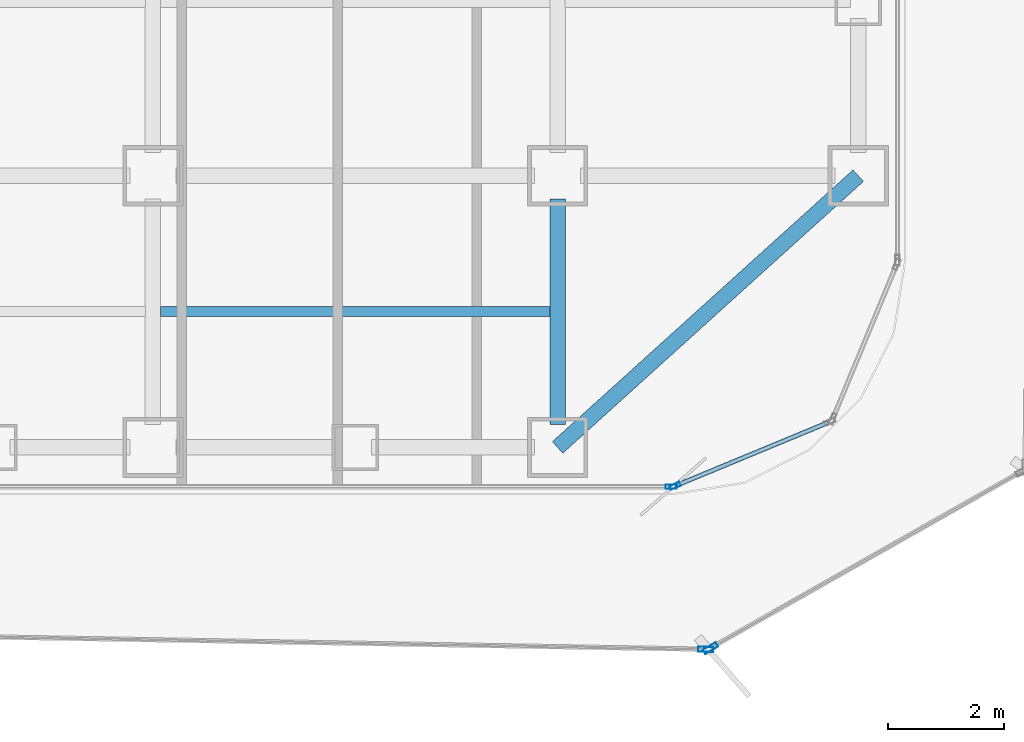
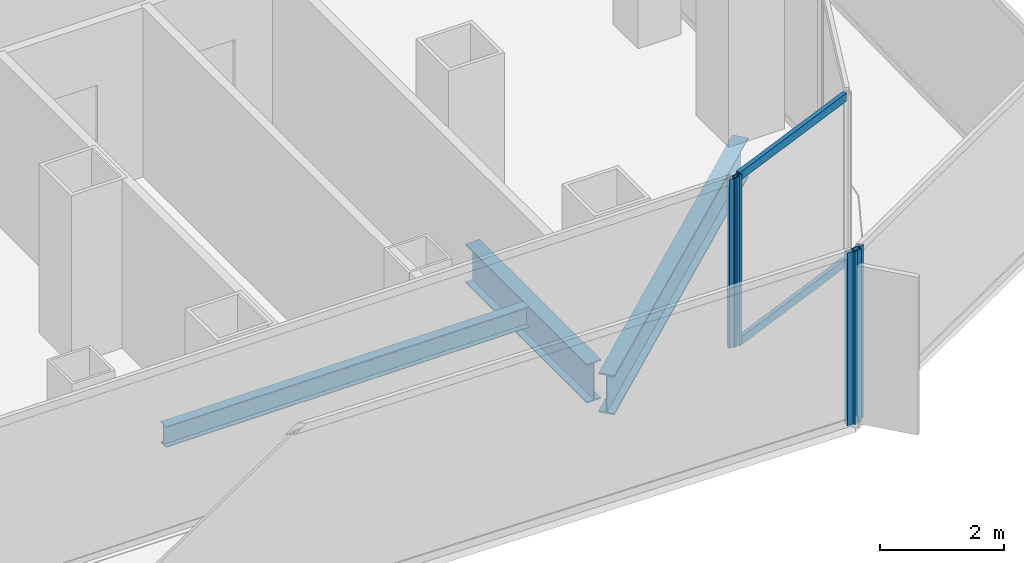
# One storey, part 6 of 21: 6 members, 3 beams, 4 elements without a shape of their own.
"""IFC4 building model written with IfcOpenShell, lengths in metres."""

import ifcopenshell
import ifcopenshell.guid

model = None  # the IFC model being written
_history = None  # IfcOwnerHistory: only IFC2X3 demands one
_inside = {}  # id of a spatial element -> (the spatial element, [elements in it])
_under = {}  # id of a project, library or spatial element -> (it, [spatial elements below it])
_declared = {}  # id of a project -> (the project, [libraries it declares])
_typed = {}  # id of a type object -> (the type object, [elements of that type])
_made_of = {}  # id of a material, layer set ... -> (it, [elements and type objects made of it])


def new_model(schema):
    """Start an empty IFC model of exactly this schema.

    Asked for "IFC4X3", IfcOpenShell would pick the latest addendum, in which some entities
    have other attributes; the version numbers below select the first issue.
    IFC2X3 requires an IfcOwnerHistory on every rooted entity: one is made here for all.
    """
    global model, _history
    if schema == "IFC4X3":
        model = ifcopenshell.file(schema_version=(4, 3, 0, 0))
    else:
        model = ifcopenshell.file(schema=schema)
    _inside.clear()
    _under.clear()
    _declared.clear()
    _typed.clear()
    _made_of.clear()
    _history = None
    if model.schema == "IFC2X3":
        org = make("IfcOrganization", Name="unknown")
        user = make(
            "IfcPersonAndOrganization",
            ThePerson=make("IfcPerson", FamilyName="unknown"),
            TheOrganization=org,
        )
        app = make(
            "IfcApplication",
            ApplicationDeveloper=org,
            Version="unknown",
            ApplicationFullName="unknown",
            ApplicationIdentifier="unknown",
        )
        _history = make(
            "IfcOwnerHistory",
            OwningUser=user,
            OwningApplication=app,
            ChangeAction="ADDED",
            CreationDate=0,
        )
    return model


def make(cls, **values):
    """One entity of the class cls with the attributes given. An attribute that is None is left unset."""
    return model.create_entity(
        cls, **{name: value for name, value in values.items() if value is not None}
    )


def rooted(cls, **values):
    """An entity with a GlobalId (a new one), such as an element, a storey or a relation."""
    return make(cls, GlobalId=ifcopenshell.guid.new(), OwnerHistory=_history, **values)


def si_unit(unit_type, name, prefix=None):
    """IfcSIUnit, for example si_unit("LENGTHUNIT", "METRE", prefix="MILLI")."""
    return make("IfcSIUnit", UnitType=unit_type, Prefix=prefix, Name=name)


def assignment(units):
    """IfcUnitAssignment: the units of a project."""
    return None if units is None else make("IfcUnitAssignment", Units=units)


def point(xyz):
    """IfcCartesianPoint."""
    return None if xyz is None else make("IfcCartesianPoint", Coordinates=xyz)


def direction(xyz):
    """IfcDirection."""
    return None if xyz is None else make("IfcDirection", DirectionRatios=xyz)


def frame(location, z_axis=None, x_axis=None):
    """IfcAxis2Placement3D, a coordinate frame: its origin and axes. An axis left out is left unset."""
    return make(
        "IfcAxis2Placement3D",
        Location=point(location),
        Axis=direction(z_axis),
        RefDirection=direction(x_axis),
    )


def frame_2d(location, x_axis=None):
    """IfcAxis2Placement2D, a coordinate frame in the plane: its origin and x axis."""
    return make(
        "IfcAxis2Placement2D", Location=point(location), RefDirection=direction(x_axis)
    )


def origin():
    """The frame at (0, 0, 0) with its axes left unset."""
    return frame((0.0, 0.0, 0.0))


def origin_2d():
    """The frame at (0, 0) in the plane with its x axis left unset."""
    return frame_2d((0.0, 0.0))


def place(relative_to, where):
    """IfcLocalPlacement: puts the frame where relative to a parent placement (None: the world)."""
    return make(
        "IfcLocalPlacement", PlacementRelTo=relative_to, RelativePlacement=where
    )


def context(
    kind, dimensions, precision=None, world=None, true_north=None, identifier=None
):
    """IfcGeometricRepresentationContext, for example the 3D "Model" context."""
    return make(
        "IfcGeometricRepresentationContext",
        ContextIdentifier=identifier,
        ContextType=kind,
        CoordinateSpaceDimension=dimensions,
        Precision=precision,
        WorldCoordinateSystem=world,
        TrueNorth=true_north,
    )


def subcontext(parent, identifier, kind, view, scale=None):
    """IfcGeometricRepresentationSubContext, for example "Body" below "Model"."""
    return make(
        "IfcGeometricRepresentationSubContext",
        ContextIdentifier=identifier,
        ContextType=kind,
        ParentContext=parent,
        TargetScale=scale,
        TargetView=view,
    )


def project(units=None, contexts=None):
    """IfcProject with its units and contexts."""
    return rooted(
        "IfcProject",
        Name="project",
        RepresentationContexts=contexts,
        UnitsInContext=assignment(units),
    )


def spatial(cls, under=None, at=None, **own):
    """A site, building, storey or space (cls), placed at a placement, below another one or the project."""
    s = rooted(cls, ObjectPlacement=at, **own)
    if under is not None:
        _under.setdefault(under.id(), (under, []))[1].append(s)
    return s


def profile(cls, at=None, kind="AREA", **sizes):
    """A parametric profile (cls). Its sizes go by their IFC names, for example OverallWidth=200.0."""
    return make(cls, ProfileType=kind, Position=at, **sizes)


def hollow_rectangle(**sizes):
    """IfcRectangleHollowProfileDef."""
    return profile("IfcRectangleHollowProfileDef", **sizes)


def i_section(**sizes):
    """IfcIShapeProfileDef."""
    return profile("IfcIShapeProfileDef", **sizes)


def extrude(swept, where, along, depth):
    """IfcExtrudedAreaSolid: the profile swept, set in the frame where, extruded along a direction by depth."""
    return make(
        "IfcExtrudedAreaSolid",
        SweptArea=swept,
        Position=where,
        ExtrudedDirection=direction(along),
        Depth=depth,
    )


def shape(context_of_items, identifier, shape_type, items):
    """IfcShapeRepresentation: the items that make up one representation, for example the "Body"."""
    return make(
        "IfcShapeRepresentation",
        ContextOfItems=context_of_items,
        RepresentationIdentifier=identifier,
        RepresentationType=shape_type,
        Items=items,
    )


def source(mapping_origin, context_of_items, identifier, shape_type, items):
    """IfcRepresentationMap: a shape defined once, which mapped items show again and again."""
    return make(
        "IfcRepresentationMap",
        MappingOrigin=mapping_origin,
        MappedRepresentation=shape(context_of_items, identifier, shape_type, items),
    )


def transform(
    local_origin,
    x_axis=None,
    y_axis=None,
    z_axis=None,
    scale=None,
    scale2=None,
    scale3=None,
    uniform=True,
):
    """IfcCartesianTransformationOperator3D, or its non-uniform kind. x_axis, y_axis, z_axis: its Axis1, 2, 3."""
    if uniform:
        return make(
            "IfcCartesianTransformationOperator3D",
            Axis1=direction(x_axis),
            Axis2=direction(y_axis),
            LocalOrigin=point(local_origin),
            Scale=scale,
            Axis3=direction(z_axis),
        )
    return make(
        "IfcCartesianTransformationOperator3DnonUniform",
        Axis1=direction(x_axis),
        Axis2=direction(y_axis),
        LocalOrigin=point(local_origin),
        Scale=scale,
        Axis3=direction(z_axis),
        Scale2=scale2,
        Scale3=scale3,
    )


def mapped(mapping_source, mapping_target):
    """IfcMappedItem: shows the shape of a source again, moved by a transform."""
    return make(
        "IfcMappedItem", MappingSource=mapping_source, MappingTarget=mapping_target
    )


def material(Name=None, Category=None):
    """IfcMaterial."""
    return make("IfcMaterial", Name=Name, Category=Category)


def layer(
    of_material, thickness, ventilated=None, Name=None, Category=None, Priority=None
):
    """IfcMaterialLayer: one layer of a wall or slab, of a material (None: an air gap)."""
    return make(
        "IfcMaterialLayer",
        Material=of_material,
        LayerThickness=thickness,
        IsVentilated=ventilated,
        Name=Name,
        Category=Category,
        Priority=Priority,
    )


def layer_set(layers, Name=None):
    """IfcMaterialLayerSet."""
    return make("IfcMaterialLayerSet", MaterialLayers=layers, LayerSetName=Name)


def material_profile(
    of_material, cross_section, Name=None, Category=None, Priority=None
):
    """IfcMaterialProfile: a cross section and its material."""
    return make(
        "IfcMaterialProfile",
        Name=Name,
        Material=of_material,
        Profile=cross_section,
        Priority=Priority,
        Category=Category,
    )


def profile_set(profiles, Name=None, composite=None):
    """IfcMaterialProfileSet."""
    return make(
        "IfcMaterialProfileSet",
        Name=Name,
        MaterialProfiles=profiles,
        CompositeProfile=composite,
    )


def made_of(thing, what):
    """Note that an element or type object is made of a material, layer set ...; save() writes the relation."""
    if what is not None:
        _made_of.setdefault(what.id(), (what, []))[1].append(thing)
    return thing


def type_object(cls, material=None, **own):
    """A type object (cls), such as IfcWallType, which elements share."""
    return made_of(rooted(cls, **own), material)


def element(
    cls,
    number,
    at=None,
    inside=None,
    cuts=None,
    type_object=None,
    material=None,
    context=None,
    identifier="Body",
    shape_type=None,
    held_by="IfcProductDefinitionShape",
    body=None,
    shapes=None,
    **own,
):
    """One element of the class cls, such as IfcWall. Its Tag is "e" and its number.

    at: its placement. inside: the storey or other place that contains it. cuts: it is an
    opening in that element (IfcRelVoidsElement). A single representation is given by context,
    identifier, shape_type and body (its items); several are given by shapes. held_by: the class
    of the entity that holds the representations. save() writes the other relations.
    """
    e = rooted(cls, Tag="e%d" % number, ObjectPlacement=at, **own)
    if body is not None:
        shapes = [shape(context, identifier, shape_type, body)]
    if shapes is not None:
        e.Representation = make(held_by, Representations=shapes)
    if inside is not None:
        _inside.setdefault(inside.id(), (inside, []))[1].append(e)
    if cuts is not None:
        rooted(
            "IfcRelVoidsElement", RelatingBuildingElement=cuts, RelatedOpeningElement=e
        )
    if type_object is not None:
        _typed.setdefault(type_object.id(), (type_object, []))[1].append(e)
    return made_of(e, material)


def aggregate(whole, parts):
    """IfcRelAggregates: a whole, such as a stair, and the parts it consists of."""
    return rooted("IfcRelAggregates", RelatingObject=whole, RelatedObjects=parts)


def save(model, path):
    """Write the relations noted so far, then the file.

    IfcRelAggregates (storeys below a building ...), IfcRelContainedInSpatialStructure (elements
    in a storey), IfcRelDefinesByType, IfcRelAssociatesMaterial and IfcRelDeclares: one each for
    every whole, place, type object, material and project.
    """
    for whole, parts in _under.values():
        aggregate(whole, parts)
    for where, things in _inside.values():
        rooted(
            "IfcRelContainedInSpatialStructure",
            RelatedElements=things,
            RelatingStructure=where,
        )
    for kind, things in _typed.values():
        rooted("IfcRelDefinesByType", RelatedObjects=things, RelatingType=kind)
    for what, things in _made_of.values():
        rooted("IfcRelAssociatesMaterial", RelatedObjects=things, RelatingMaterial=what)
    for by, libraries in _declared.values():
        rooted("IfcRelDeclares", RelatingContext=by, RelatedDefinitions=libraries)
    model.write(path)


model = new_model("IFC4")

# Units and contexts
model_context = context("Model", 3, precision=1e-05, world=origin(), true_north=direction((0.0, 1.0)))
body_context = subcontext(model_context, "Body", "Model", "MODEL_VIEW")
ifc_project = project(units=[si_unit("LENGTHUNIT", "METRE"), si_unit("AREAUNIT", "SQUARE_METRE"), si_unit("VOLUMEUNIT", "CUBIC_METRE"), si_unit("PLANEANGLEUNIT", "RADIAN"), si_unit("MASSUNIT", "GRAM", prefix="KILO")], contexts=[model_context])

# Site, building, storey
site_placement = place(None, origin())
site = spatial("IfcSite", under=ifc_project, at=site_placement, CompositionType="ELEMENT")
building_placement = place(site_placement, origin())
building = spatial("IfcBuilding", under=site, at=building_placement, Name="Kolveth Station Tower", CompositionType="ELEMENT")
storey_placement = place(building_placement, frame((0.0, 0.0, 40.5)))
storey = spatial("IfcBuildingStorey", under=building, at=storey_placement, Name="L10", CompositionType="ELEMENT", Elevation=40.5)

# Beams
ifc_material_1 = material(Name="Steel S355", Category="steel")
ifc_material_profile_1 = material_profile(ifc_material_1, i_section(OverallWidth=0.26904296875, OverallDepth=0.77490234375, WebThickness=0.01708984375, FlangeThickness=0.0283203125, at=origin_2d()), Name="W760x220")
ifc_profile_set_1 = profile_set([ifc_material_profile_1], Name="Steel S355")
beam_type_1 = type_object("IfcBeamType", Name="Beam_SP1", PredefinedType="SPANDREL", material=ifc_profile_set_1)
shared_shape_1 = source(origin(), body_context, "Body", "SweptSolid", [
    extrude(i_section(OverallWidth=0.26904296875, OverallDepth=0.77490234375, WebThickness=0.01708984375, FlangeThickness=0.0283203125, at=origin_2d()), origin(), (0.0, 0.0, 1.0), 7.00927734375),
])
beam_1_placement = place(storey_placement, frame((41.0, 0.800048828125, -0.66748046875), z_axis=(0.741874009795, 0.670539300557, 0.0), x_axis=(-0.670539300557, 0.741874009795, 0.0)))
element("IfcBeam", 1, at=beam_1_placement, inside=storey, type_object=beam_type_1, Name="L10 Corner Edge Girder BM-L10-CNR-SE", PredefinedType="SPANDREL", context=body_context, shape_type="MappedRepresentation", body=[
    mapped(shared_shape_1, transform((0.0, 0.0, 0.0), x_axis=(1.0, 0.0, 0.0), y_axis=(0.0, 1.0, 0.0), z_axis=(0.0, 0.0, 1.0), scale=1.0)),
])
ifc_material_profile_2 = material_profile(ifc_material_1, i_section(OverallWidth=0.26708984375, OverallDepth=0.76611328125, WebThickness=0.014892578125, FlangeThickness=0.023681640625, at=origin_2d()), Name="W760x185")
ifc_profile_set_2 = profile_set([ifc_material_profile_2], Name="Steel S355")
beam_type_2 = type_object("IfcBeamType", Name="Beam_B3", PredefinedType="BEAM", material=ifc_profile_set_2)
shared_shape_2 = source(origin(), body_context, "Body", "SweptSolid", [
    extrude(i_section(OverallWidth=0.26708984375, OverallDepth=0.76611328125, WebThickness=0.014892578125, FlangeThickness=0.023681640625, at=origin_2d()), origin(), (0.0, 0.0, 1.0), 3.900146484375),
])
beam_2_placement = place(storey_placement, frame((41.0, 1.199951171875, -0.6630859375), z_axis=(0.0, 1.0, 0.0), x_axis=(-1.0, 0.0, 0.0)))
element("IfcBeam", 2, at=beam_2_placement, inside=storey, type_object=beam_type_2, Name="L10 Primary Girder BM-L10-GX410-1", PredefinedType="BEAM", context=body_context, shape_type="MappedRepresentation", body=[
    mapped(shared_shape_2, transform((0.0, 0.0, 0.0), x_axis=(1.0, 0.0, 0.0), y_axis=(0.0, 1.0, 0.0), z_axis=(0.0, 0.0, 1.0), scale=1.0)),
])
ifc_material_profile_3 = material_profile(ifc_material_1, i_section(OverallWidth=0.177978515625, OverallDepth=0.406982421875, WebThickness=0.0078125, FlangeThickness=0.0126953125, at=origin_2d()), Name="W410x60")
ifc_profile_set_3 = profile_set([ifc_material_profile_3], Name="Steel S355")
beam_type_3 = type_object("IfcBeamType", Name="Beam_J1", PredefinedType="JOIST", material=ifc_profile_set_3)
shared_shape_3 = source(origin(), body_context, "Body", "SweptSolid", [
    extrude(i_section(OverallWidth=0.177978515625, OverallDepth=0.406982421875, WebThickness=0.0078125, FlangeThickness=0.0126953125, at=origin_2d()), origin(), (0.0, 0.0, 1.0), 6.73681640625),
])
beam_3_placement = place(storey_placement, frame((34.131591796875, 3.14990234375, -0.4833984375), z_axis=(1.0, 0.0, 0.0), x_axis=(0.0, 1.0, 0.0)))
element("IfcBeam", 3, at=beam_3_placement, inside=storey, type_object=beam_type_3, Name="L10 Secondary Joist JST-L10-6-1", PredefinedType="JOIST", context=body_context, shape_type="MappedRepresentation", body=[
    mapped(shared_shape_3, transform((0.0, 0.0, 0.0), x_axis=(1.0, 0.0, 0.0), y_axis=(0.0, 1.0, 0.0), z_axis=(0.0, 0.0, 1.0), scale=1.0)),
])

# Curtain wall, member
ifc_material_2 = material(Name="Aluminium 6063-T6 and low-E dark glass", Category="aluminium")
ifc_layer_1 = layer(ifc_material_2, 0.179931640625)
ifc_layer_set_1 = layer_set([ifc_layer_1], Name="Aluminium 6063-T6 and low-E dark glass")
curtain_wall_type_1 = type_object("IfcCurtainWallType", Name="CurtainWall_CW-Z1", PredefinedType="NOTDEFINED", material=ifc_layer_set_1)
curtain_wall_1_placement = place(storey_placement, origin())
curtain_wall_1 = element("IfcCurtainWall", 4, at=curtain_wall_1_placement, inside=storey, type_object=curtain_wall_type_1, Name="L10 Inner Thermal Curtain Wall 1", PredefinedType="NOTDEFINED")
ifc_material_3 = material(Name="Black anodized aluminium 6063-T6", Category="aluminium")
ifc_material_profile_4 = material_profile(ifc_material_3, hollow_rectangle(XDim=0.074951171875, YDim=0.18994140625, WallThickness=0.0048828125, at=origin_2d()), Name="ALU-75x190x5")
ifc_profile_set_4 = profile_set([ifc_material_profile_4], Name="Black anodized aluminium 6063-T6")
member_type_1 = type_object("IfcMemberType", Name="Mullion_ML1", PredefinedType="MULLION", material=ifc_profile_set_4)
shared_shape_4 = source(origin(), body_context, "Body", "SweptSolid", [
    extrude(hollow_rectangle(XDim=0.074951171875, YDim=0.18994140625, WallThickness=0.0048828125, at=origin_2d()), origin(), (0.0, 0.0, 1.0), 3.320068359375),
])
member_1_placement = place(storey_placement, frame((43.03466796875, 0.13427734375, 0.0), z_axis=(0.0, 0.0, 1.0), x_axis=(-0.382672990201, 0.923883857728, 0.0)))
member_1 = element("IfcMember", 5, at=member_1_placement, type_object=member_type_1, Name="CW-Z1 mullion 1", PredefinedType="MULLION", context=body_context, shape_type="MappedRepresentation", body=[
    mapped(shared_shape_4, transform((0.0, 0.0, 0.0), x_axis=(1.0, 0.0, 0.0), y_axis=(0.0, 1.0, 0.0), z_axis=(0.0, 0.0, 1.0), scale=1.0)),
])

curtain_wall_2_placement = place(storey_placement, origin())
curtain_wall_2 = element("IfcCurtainWall", 6, at=curtain_wall_2_placement, inside=storey, type_object=curtain_wall_type_1, Name="L10 Inner Thermal Curtain Wall 12", PredefinedType="NOTDEFINED")
member_2_placement = place(storey_placement, frame((42.96240234375, 0.1201171875, 0.0), z_axis=(0.0, 0.0, 1.0), x_axis=(0.0, 1.0, 0.0)))
member_2 = element("IfcMember", 7, at=member_2_placement, type_object=member_type_1, Name="CW-Z1 mullion 3", PredefinedType="MULLION", context=body_context, shape_type="MappedRepresentation", body=[
    mapped(shared_shape_4, transform((0.0, 0.0, 0.0), x_axis=(1.0, 0.0, 0.0), y_axis=(0.0, 1.0, 0.0), z_axis=(0.0, 0.0, 1.0), scale=1.0)),
])
aggregate(curtain_wall_2, [member_2])

# Member
ifc_material_profile_5 = material_profile(ifc_material_3, hollow_rectangle(XDim=0.074951171875, YDim=0.159912109375, WallThickness=0.0048828125, at=origin_2d()), Name="ALU-75x160x5")
ifc_profile_set_5 = profile_set([ifc_material_profile_5], Name="Black anodized aluminium 6063-T6")
member_type_2 = type_object("IfcMemberType", Name="Transom_TR1", PredefinedType="USERDEFINED", material=ifc_profile_set_5)
shared_shape_5 = source(origin(), body_context, "Body", "SweptSolid", [
    extrude(hollow_rectangle(XDim=0.074951171875, YDim=0.159912109375, WallThickness=0.0048828125, at=origin_2d()), origin(), (0.0, 0.0, 1.0), 2.819580078125),
])
member_3_placement = place(storey_placement, frame((43.0693359375, 0.148681640625, 0.03759765625), z_axis=(0.923869084389, 0.382708655389, 0.0), x_axis=(-0.382708655389, 0.923869084389, 0.0)))
member_3 = element("IfcMember", 8, at=member_3_placement, type_object=member_type_2, Name="CW-Z1 transom 1.1", ObjectType="TRANSOM", PredefinedType="USERDEFINED", context=body_context, shape_type="MappedRepresentation", body=[
    mapped(shared_shape_5, transform((0.0, 0.0, 0.0), x_axis=(1.0, 0.0, 0.0), y_axis=(0.0, 1.0, 0.0), z_axis=(0.0, 0.0, 1.0), scale=1.0)),
])

member_4_placement = place(storey_placement, frame((43.0693359375, 0.148681640625, 3.282470703125), z_axis=(0.923869084389, 0.382708655389, 0.0), x_axis=(-0.382708655389, 0.923869084389, 0.0)))
member_4 = element("IfcMember", 9, at=member_4_placement, type_object=member_type_2, Name="CW-Z1 transom 1.2", ObjectType="TRANSOM", PredefinedType="USERDEFINED", context=body_context, shape_type="MappedRepresentation", body=[
    mapped(shared_shape_5, transform((0.0, 0.0, 0.0), x_axis=(1.0, 0.0, 0.0), y_axis=(0.0, 1.0, 0.0), z_axis=(0.0, 0.0, 1.0), scale=1.0)),
])

aggregate(curtain_wall_1, [member_1, member_3, member_4])

# Curtain wall, member
ifc_material_4 = material(Name="Black anodized aluminium 6063-T6 and dark solar glass", Category="aluminium")
ifc_layer_2 = layer(ifc_material_4, 0.159912109375)
ifc_layer_set_2 = layer_set([ifc_layer_2], Name="Black anodized aluminium 6063-T6 and dark solar glass")
curtain_wall_type_2 = type_object("IfcCurtainWallType", Name="OUTER SKIN CW-OS", PredefinedType="NOTDEFINED", material=ifc_layer_set_2)
curtain_wall_3_placement = place(storey_placement, origin())
curtain_wall_3 = element("IfcCurtainWall", 10, at=curtain_wall_3_placement, inside=storey, type_object=curtain_wall_type_2, Name="L10 Outer Ventilated Skin Curtain Wall 1", PredefinedType="NOTDEFINED")
ifc_material_profile_6 = material_profile(ifc_material_3, hollow_rectangle(XDim=0.090087890625, YDim=0.260009765625, WallThickness=0.0048828125, at=origin_2d()), Name="ALU-90x260x5")
ifc_profile_set_6 = profile_set([ifc_material_profile_6], Name="Black anodized aluminium 6063-T6")
member_type_3 = type_object("IfcMemberType", Name="FIN MULLION ML-OS", PredefinedType="MULLION", material=ifc_profile_set_6)
shared_shape_6 = source(origin(), body_context, "Body", "SweptSolid", [
    extrude(hollow_rectangle(XDim=0.090087890625, YDim=0.260009765625, WallThickness=0.0048828125, at=origin_2d()), origin(), (0.0, 0.0, 1.0), 3.389892578125),
])
member_5_placement = place(storey_placement, frame((43.64599609375, -2.672607421875, 0.0), z_axis=(0.0, 0.0, 1.0), x_axis=(-0.493340822347, 0.869836095484, 0.0)))
member_5 = element("IfcMember", 11, at=member_5_placement, type_object=member_type_3, Name="CW-OS mullion 1", PredefinedType="MULLION", context=body_context, shape_type="MappedRepresentation", body=[
    mapped(shared_shape_6, transform((0.0, 0.0, 0.0), x_axis=(1.0, 0.0, 0.0), y_axis=(0.0, 1.0, 0.0), z_axis=(0.0, 0.0, 1.0), scale=1.0)),
])
aggregate(curtain_wall_3, [member_5])

curtain_wall_4_placement = place(storey_placement, origin())
curtain_wall_4 = element("IfcCurtainWall", 12, at=curtain_wall_4_placement, inside=storey, type_object=curtain_wall_type_2, Name="L10 Outer Ventilated Skin Curtain Wall 8", PredefinedType="NOTDEFINED")
member_6_placement = place(storey_placement, frame((43.561767578125, -2.694091796875, 0.0), z_axis=(0.0, 0.0, 1.0), x_axis=(0.017168865757, 0.999852604162, 0.0)))
member_6 = element("IfcMember", 13, at=member_6_placement, type_object=member_type_3, Name="CW-OS mullion 2", PredefinedType="MULLION", context=body_context, shape_type="MappedRepresentation", body=[
    mapped(shared_shape_6, transform((0.0, 0.0, 0.0), x_axis=(1.0, 0.0, 0.0), y_axis=(0.0, 1.0, 0.0), z_axis=(0.0, 0.0, 1.0), scale=1.0)),
])
aggregate(curtain_wall_4, [member_6])

save(model, "model.ifc")
